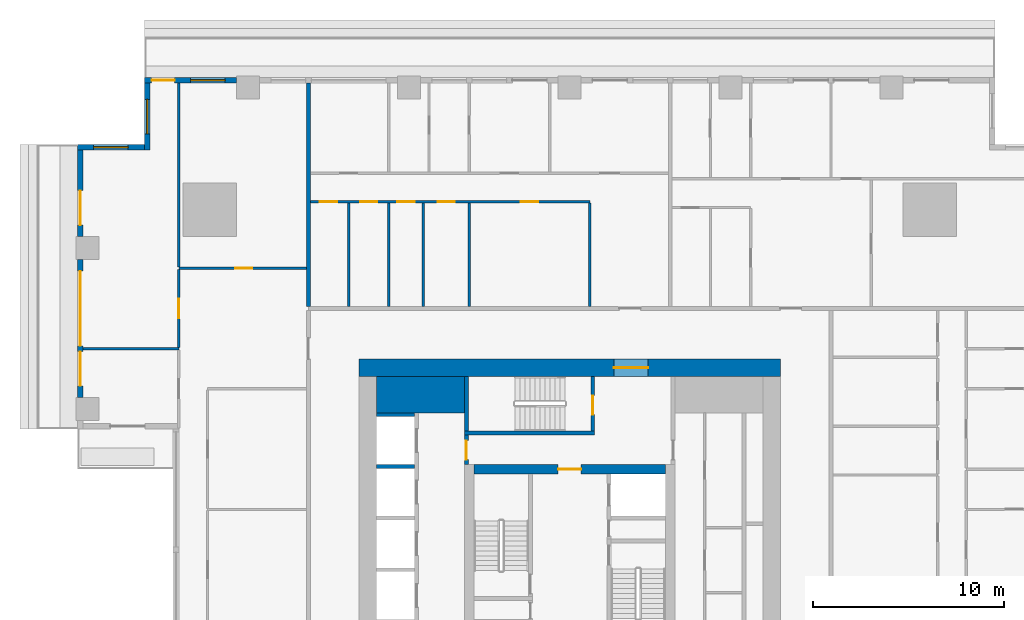
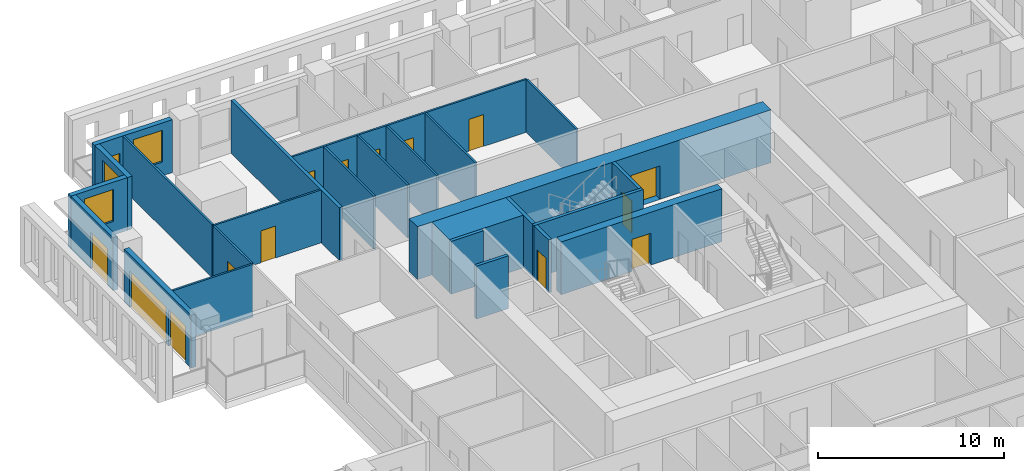
# One storey, part 7 of 15: 25 walls, 15 doors, 3 windows, 18 openings.
"""IFC4 building model written with IfcOpenShell, lengths in metres."""

from ifc_helpers import new_model, si_unit, direction, frame, frame_2d, origin, place, context, subcontext, project, spatial, rectangle, extrude, material, layer, layer_set, type_object, element, fill, save


model = new_model("IFC4")

# Units and contexts
model_context = context("Model", 3, precision=1e-05, world=origin(), true_north=direction((0.0, 1.0)))
body_context = subcontext(model_context, "Body", "Model", "MODEL_VIEW")
ifc_project = project(units=[si_unit("LENGTHUNIT", "METRE"), si_unit("AREAUNIT", "SQUARE_METRE"), si_unit("VOLUMEUNIT", "CUBIC_METRE"), si_unit("PLANEANGLEUNIT", "RADIAN"), si_unit("MASSUNIT", "GRAM", prefix="KILO")], contexts=[model_context])

# Site, building, storey
site_placement = place(None, origin())
site = spatial("IfcSite", under=ifc_project, at=site_placement, CompositionType="ELEMENT")
building_placement = place(site_placement, origin())
building = spatial("IfcBuilding", under=site, at=building_placement, Name="Khepri Terraces", CompositionType="ELEMENT")
storey_placement = place(building_placement, frame((0.0, 0.0, 94.800048828125)))
storey = spatial("IfcBuildingStorey", under=building, at=storey_placement, Name="L22", CompositionType="ELEMENT", Elevation=94.800048828125)

# Walls
ifc_material_1 = material(Name="Concrete C70/85", Category="concrete")
ifc_layer_1 = layer(ifc_material_1, 1.89990234375, Name="Concrete C70/85", Category="concrete")
ifc_layer_set_1 = layer_set([ifc_layer_1], Name="Concrete C70/85")
wall_type_1 = type_object("IfcWallType", Name="Core wall 1900 C70/85", PredefinedType="SHEAR", material=ifc_layer_set_1)
wall_1_placement = place(storey_placement, frame((-10.10009765625, 9.14990234375, 0.0), z_axis=(0.0, 0.0, 1.0), x_axis=(1.0, 0.0, 0.0)))
element("IfcWall", 1, at=wall_1_placement, inside=storey, type_object=wall_type_1, Name="Core wall PR03 L22", PredefinedType="SHEAR", context=body_context, shape_type="SweptSolid", body=[
    extrude(rectangle(XDim=4.60009765625, YDim=1.89990234375, at=frame_2d((2.300048828125, 0.0))), origin(), (0.0, 0.0, 1.0), 3.47998046875),
])
ifc_layer_2 = layer(ifc_material_1, 0.199951171875, Name="Concrete C70/85", Category="concrete")
ifc_layer_set_2 = layer_set([ifc_layer_2], Name="Concrete C70/85")
wall_type_2 = type_object("IfcWallType", Name="Core wall 200 C70/85", PredefinedType="SHEAR", material=ifc_layer_set_2)
wall_2_placement = place(storey_placement, frame((-5.5, 7.14990234375, 0.0), z_axis=(0.0, 0.0, 1.0), x_axis=(1.0, 0.0, 0.0)))
element("IfcWall", 2, at=wall_2_placement, inside=storey, type_object=wall_type_2, Name="Core wall ST05 L22", PredefinedType="SHEAR", context=body_context, shape_type="SweptSolid", body=[
    extrude(rectangle(XDim=6.800048828125, YDim=0.199951171875, at=frame_2d((3.39990234375, 0.0))), origin(), (0.0, 0.0, 1.0), 3.47998046875),
])
wall_3_placement = place(storey_placement, frame((-5.39990234375, 7.25, 0.0), z_axis=(0.0, 0.0, 1.0), x_axis=(0.0, 1.0, 0.0)))
element("IfcWall", 3, at=wall_3_placement, inside=storey, type_object=wall_type_2, Name="Core wall ST06 L22", PredefinedType="SHEAR", context=body_context, shape_type="SweptSolid", body=[
    extrude(rectangle(XDim=2.85009765625, YDim=0.199951171875, at=frame_2d((1.425048828125, 0.0))), origin(), (0.0, 0.0, 1.0), 3.47998046875),
])

# Wall, opening, door
wall_4_placement = place(storey_placement, frame((1.199951171875, 7.25, 0.0), z_axis=(0.0, 0.0, 1.0), x_axis=(0.0, 1.0, 0.0)))
wall_4 = element("IfcWall", 4, at=wall_4_placement, inside=storey, type_object=wall_type_2, Name="Core wall ST07 L22", PredefinedType="SHEAR", context=body_context, shape_type="SweptSolid", body=[
    extrude(rectangle(XDim=2.85009765625, YDim=0.199951171875, at=frame_2d((1.425048828125, 0.0))), origin(), (0.0, 0.0, 1.0), 3.47998046875),
])
opening_1_placement = place(wall_4_placement, frame((0.85009765625, 0.0, 0.0)))
opening_1 = element("IfcOpeningElement", 5, at=opening_1_placement, cuts=wall_4, Name="Opening L22-C15", PredefinedType="OPENING", context=body_context, shape_type="SweptSolid", body=[
    extrude(rectangle(XDim=1.0, YDim=2.10009765625, at=frame_2d((0.5, 1.050048828125))), frame((0.0, 0.10986328125, 0.0), z_axis=(0.0, -1.0, 0.0), x_axis=(1.0, 0.0, 0.0)), (0.0, 0.0, 1.0), 0.219970703125),
])
ifc_material_2 = material(Name="Painted steel", Category="steel")
door_type_1 = type_object("IfcDoorType", Name="DR-CORE-STAIR-1000", OperationType="NOTDEFINED", PredefinedType="DOOR", material=ifc_material_2)
door_1_placement = place(opening_1_placement, origin())
door_1 = element("IfcDoor", 6, at=door_1_placement, inside=storey, type_object=door_type_1, Name="Stair door L22-C15", OperationType="SINGLE_SWING_LEFT", OverallHeight=2.10009765625, OverallWidth=1.0, PredefinedType="DOOR", context=body_context, shape_type="SweptSolid", body=[
    extrude(rectangle(XDim=1.0, YDim=2.10009765625, at=frame_2d((0.5, 1.050048828125))), frame((0.0, 0.02490234375, 0.0), z_axis=(0.0, -1.0, 0.0), x_axis=(1.0, 0.0, 0.0)), (0.0, 0.0, 1.0), 0.050048828125),
])
fill(opening_1, door_1)

# Walls
for number, where, z_axis, x_axis, name in (
    (7, (-10.10009765625, 5.39990234375, 0.0), (0.0, 0.0, 1.0), (1.0, 0.0, 0.0), "Core wall SH19 L22"),
    (8, (-10.10009765625, 8.10009765625, 0.0), (0.0, 0.0, 1.0), (1.0, 0.0, 0.0), "Core wall SH20 L22"),
):
    element("IfcWall", number, at=place(storey_placement, frame(where, z_axis=z_axis, x_axis=x_axis)), inside=storey, type_object=wall_type_2, Name=name, PredefinedType="SHEAR", context=body_context, shape_type="SweptSolid", body=[
        extrude(rectangle(XDim=2.0, YDim=0.199951171875, at=frame_2d((1.0, 0.0))), origin(), (0.0, 0.0, 1.0), 3.47998046875),
    ])

# Wall, opening, door
ifc_layer_3 = layer(ifc_material_1, 0.5, Name="Concrete C70/85", Category="concrete")
ifc_layer_set_3 = layer_set([ifc_layer_3], Name="Concrete C70/85")
wall_type_3 = type_object("IfcWallType", Name="Core wall 500 C70/85", PredefinedType="SHEAR", material=ifc_layer_set_3)
wall_5_placement = place(storey_placement, frame((-5.0, 5.25, 0.0), z_axis=(0.0, 0.0, 1.0), x_axis=(1.0, 0.0, 0.0)))
wall_5 = element("IfcWall", 9, at=wall_5_placement, inside=storey, type_object=wall_type_3, Name="Core wall BX04 L22", PredefinedType="SHEAR", context=body_context, shape_type="SweptSolid", body=[
    extrude(rectangle(XDim=10.0, YDim=0.5, at=frame_2d((5.0, 0.0))), origin(), (0.0, 0.0, 1.0), 3.47998046875),
])
opening_2_placement = place(wall_5_placement, frame((4.39990234375, 0.0, 0.0)))
opening_2 = element("IfcOpeningElement", 10, at=opening_2_placement, cuts=wall_5, Name="Opening L22-C13", PredefinedType="OPENING", context=body_context, shape_type="SweptSolid", body=[
    extrude(rectangle(XDim=1.199951171875, YDim=2.10009765625, at=frame_2d((0.60009765625, 1.050048828125))), frame((0.0, 0.260009765625, 0.0), z_axis=(0.0, -1.0, 0.0), x_axis=(1.0, 0.0, 0.0)), (0.0, 0.0, 1.0), 0.52001953125),
])
door_type_2 = type_object("IfcDoorType", Name="DR-CORE-FF-LOBBY-1200", OperationType="NOTDEFINED", PredefinedType="DOOR", material=ifc_material_2)
door_2_placement = place(opening_2_placement, frame((1.199951171875, 0.0, 0.0), z_axis=(0.0, 0.0, 1.0), x_axis=(-1.0, 0.0, 0.0)))
door_2 = element("IfcDoor", 11, at=door_2_placement, inside=storey, type_object=door_type_2, Name="Firefighting lobby door L22-C13", OperationType="SINGLE_SWING_LEFT", OverallHeight=2.10009765625, OverallWidth=1.199951171875, PredefinedType="DOOR", context=body_context, shape_type="SweptSolid", body=[
    extrude(rectangle(XDim=1.199951171875, YDim=2.10009765625, at=frame_2d((0.60009765625, 1.050048828125))), frame((0.0, 0.02490234375, 0.0), z_axis=(0.0, -1.0, 0.0), x_axis=(1.0, 0.0, 0.0)), (0.0, 0.0, 1.0), 0.050048828125),
])
fill(opening_2, door_2)

ifc_layer_4 = layer(ifc_material_1, 0.89990234375, Name="Concrete C70/85", Category="concrete")
ifc_layer_set_4 = layer_set([ifc_layer_4], Name="Concrete C70/85")
wall_type_4 = type_object("IfcWallType", Name="Core wall 900 C70/85", PredefinedType="SHEAR", material=ifc_layer_set_4)
wall_6_placement = place(storey_placement, frame((-11.0, 10.550048828125, 0.0), z_axis=(0.0, 0.0, 1.0), x_axis=(1.0, 0.0, 0.0)))
wall_6 = element("IfcWall", 12, at=wall_6_placement, inside=storey, type_object=wall_type_4, Name="Core wall OW-N L22", PredefinedType="SHEAR", context=body_context, shape_type="SweptSolid", body=[
    extrude(rectangle(XDim=22.0, YDim=0.89990234375, at=frame_2d((11.0, 0.0))), origin(), (0.0, 0.0, 1.0), 3.47998046875),
])
opening_3_placement = place(wall_6_placement, frame((13.300048828125, 0.0, 0.0)))
opening_3 = element("IfcOpeningElement", 13, at=opening_3_placement, cuts=wall_6, Name="Opening L22-C20", PredefinedType="OPENING", context=body_context, shape_type="SweptSolid", body=[
    extrude(rectangle(XDim=1.800048828125, YDim=2.199951171875, at=frame_2d((0.89990234375, 1.10009765625))), frame((0.0, 0.4599609375, 0.0), z_axis=(0.0, -1.0, 0.0), x_axis=(1.0, 0.0, 0.0)), (0.0, 0.0, 1.0), 0.919921875),
])
door_type_3 = type_object("IfcDoorType", Name="DR-CORE-ENTRANCE-1800", OperationType="NOTDEFINED", PredefinedType="DOOR", material=ifc_material_2)
door_3_placement = place(opening_3_placement, origin())
door_3 = element("IfcDoor", 14, at=door_3_placement, inside=storey, type_object=door_type_3, Name="Core entrance door pair L22-C20", OperationType="DOUBLE_DOOR_SINGLE_SWING", OverallHeight=2.199951171875, OverallWidth=1.800048828125, PredefinedType="DOOR", context=body_context, shape_type="SweptSolid", body=[
    extrude(rectangle(XDim=1.800048828125, YDim=2.199951171875, at=frame_2d((0.89990234375, 1.10009765625))), frame((0.0, 0.02490234375, 0.0), z_axis=(0.0, -1.0, 0.0), x_axis=(1.0, 0.0, 0.0)), (0.0, 0.0, 1.0), 0.050048828125),
])
fill(opening_3, door_3)

ifc_material_3 = material(Name="Fire-rated gypsum board partition")
ifc_layer_5 = layer(ifc_material_3, 0.199951171875, Name="Fire-rated gypsum board partition")
ifc_layer_set_5 = layer_set([ifc_layer_5], Name="Fire-rated gypsum board partition")
wall_type_5 = type_object("IfcWallType", Name="WL-CORE-PART-200", PredefinedType="PARTITIONING", material=ifc_layer_set_5)
wall_7_placement = place(storey_placement, frame((-5.39990234375, 5.5, 0.0), z_axis=(0.0, 0.0, 1.0), x_axis=(0.0, 1.0, 0.0)))
wall_7 = element("IfcWall", 15, at=wall_7_placement, inside=storey, type_object=wall_type_5, Name="Core partition PT07 L22", PredefinedType="PARTITIONING", context=body_context, shape_type="SweptSolid", body=[
    extrude(rectangle(XDim=1.550048828125, YDim=0.199951171875, at=frame_2d((0.77490234375, 0.0))), origin(), (0.0, 0.0, 1.0), 3.47998046875),
])
opening_4_placement = place(wall_7_placement, frame((0.25, 0.0, 0.0)))
opening_4 = element("IfcOpeningElement", 16, at=opening_4_placement, cuts=wall_7, Name="Opening L22-C16", PredefinedType="OPENING", context=body_context, shape_type="SweptSolid", body=[
    extrude(rectangle(XDim=1.0, YDim=2.10009765625, at=frame_2d((0.5, 1.050048828125))), frame((0.0, 0.10986328125, 0.0), z_axis=(0.0, -1.0, 0.0), x_axis=(1.0, 0.0, 0.0)), (0.0, 0.0, 1.0), 0.219970703125),
])
door_type_4 = type_object("IfcDoorType", Name="DR-CORE-LOBBY-1000", OperationType="NOTDEFINED", PredefinedType="DOOR", material=ifc_material_2)
door_4_placement = place(opening_4_placement, frame((1.0, 0.0, 0.0), z_axis=(0.0, 0.0, 1.0), x_axis=(-1.0, 0.0, 0.0)))
door_4 = element("IfcDoor", 17, at=door_4_placement, inside=storey, type_object=door_type_4, Name="Lobby door L22-C16", OperationType="SINGLE_SWING_RIGHT", OverallHeight=2.10009765625, OverallWidth=1.0, PredefinedType="DOOR", context=body_context, shape_type="SweptSolid", body=[
    extrude(rectangle(XDim=1.0, YDim=2.10009765625, at=frame_2d((0.5, 1.050048828125))), frame((0.0, 0.02490234375, 0.0), z_axis=(0.0, -1.0, 0.0), x_axis=(1.0, 0.0, 0.0)), (0.0, 0.0, 1.0), 0.050048828125),
])
fill(opening_4, door_4)

# Wall
ifc_material_4 = material(Name="Fire-rated gypsum plasterboard partition, mineral wool")
ifc_layer_6 = layer(ifc_material_4, 0.199951171875, Name="Fire-rated gypsum plasterboard partition, mineral wool")
ifc_layer_set_6 = layer_set([ifc_layer_6], Name="Fire-rated gypsum plasterboard partition, mineral wool")
wall_type_6 = type_object("IfcWallType", Name="WL-CORR-200", PredefinedType="PARTITIONING", material=ifc_layer_set_6)
wall_8_placement = place(storey_placement, frame((-13.64990234375, 13.75, 0.0), z_axis=(0.0, 0.0, 1.0), x_axis=(0.0, 1.0, 0.0)))
element("IfcWall", 18, at=wall_8_placement, inside=storey, type_object=wall_type_6, Name="Partition P-082 L22", PredefinedType="PARTITIONING", context=body_context, shape_type="SweptSolid", body=[
    extrude(rectangle(XDim=11.669921875, YDim=0.199951171875, at=frame_2d((5.8349609375, 0.0))), origin(), (0.0, 0.0, 1.0), 3.47998046875),
])

# Wall, openings, door, window
ifc_material_5 = material(Name="Precast concrete C50/60 warm stone", Category="masonry")
ifc_layer_7 = layer(ifc_material_5, 0.300048828125, Name="Precast concrete C50/60 warm stone", Category="masonry")
ifc_layer_set_7 = layer_set([ifc_layer_7], Name="Precast concrete C50/60 warm stone")
wall_type_7 = type_object("IfcWallType", Name="WL-EXT-PRECAST-300", PredefinedType="STANDARD", material=ifc_layer_set_7)
wall_9_placement = place(storey_placement, frame((-17.39990234375, 25.570068359375, 0.0), z_axis=(0.0, 0.0, 1.0), x_axis=(-1.0, 0.0, 0.0)))
wall_9 = element("IfcWall", 19, at=wall_9_placement, inside=storey, type_object=wall_type_7, Name="External wall L22 N", PredefinedType="STANDARD", context=body_context, shape_type="SweptSolid", body=[
    extrude(rectangle(XDim=4.820068359375, YDim=0.300048828125, at=frame_2d((2.41015625, 0.0))), origin(), (0.0, 0.0, 1.0), 3.47998046875),
])
opening_5_placement = place(wall_9_placement, frame((0.60009765625, 0.0, 0.89990234375)))
opening_5 = element("IfcOpeningElement", 20, at=opening_5_placement, cuts=wall_9, Name="Opening W1", PredefinedType="OPENING", context=body_context, shape_type="SweptSolid", body=[
    extrude(rectangle(XDim=1.800048828125, YDim=2.10009765625, at=frame_2d((0.89990234375, 1.050048828125))), frame((0.0, 0.16015625, 0.0), z_axis=(0.0, -1.0, 0.0), x_axis=(1.0, 0.0, 0.0)), (0.0, 0.0, 1.0), 0.320068359375),
])
opening_6_placement = place(wall_9_placement, frame((3.2451171875, 0.0, 0.0)))
opening_6 = element("IfcOpeningElement", 21, at=opening_6_placement, cuts=wall_9, Name="Opening ED-L22-12", PredefinedType="OPENING", context=body_context, shape_type="SweptSolid", body=[
    extrude(rectangle(XDim=1.199951171875, YDim=2.39990234375, at=frame_2d((0.60009765625, 1.199951171875))), frame((0.0, 0.16015625, 0.0), z_axis=(0.0, -1.0, 0.0), x_axis=(1.0, 0.0, 0.0)), (0.0, 0.0, 1.0), 0.320068359375),
])
ifc_material_6 = material(Name="Anodised aluminium bronze glazed door", Category="aluminium")
door_type_5 = type_object("IfcDoorType", Name="DR-BAL-SLIDE-1200x2400", OperationType="NOTDEFINED", PredefinedType="DOOR", material=ifc_material_6)
door_5_placement = place(opening_6_placement, origin())
door_5 = element("IfcDoor", 22, at=door_5_placement, inside=storey, type_object=door_type_5, Name="Balcony door L22 N", OperationType="SLIDING_TO_RIGHT", OverallHeight=2.39990234375, OverallWidth=1.199951171875, PredefinedType="DOOR", context=body_context, shape_type="SweptSolid", body=[
    extrude(rectangle(XDim=1.199951171875, YDim=2.39990234375, at=frame_2d((0.60009765625, 1.199951171875))), frame((0.0, 0.02490234375, 0.0), z_axis=(0.0, -1.0, 0.0), x_axis=(1.0, 0.0, 0.0)), (0.0, 0.0, 1.0), 0.050048828125),
])
fill(opening_6, door_5)
ifc_material_7 = material(Name="Clear glass", Category="glass")
window_type = type_object("IfcWindowType", Name="WIN-RES-1800x2100", PartitioningType="SINGLE_PANEL", PredefinedType="WINDOW", material=ifc_material_7)
window_1_placement = place(opening_5_placement, origin())
window_1 = element("IfcWindow", 23, at=window_1_placement, inside=storey, type_object=window_type, Name="Window L22 N", OverallHeight=2.10009765625, OverallWidth=1.800048828125, PartitioningType="SINGLE_PANEL", PredefinedType="WINDOW", context=body_context, shape_type="SweptSolid", body=[
    extrude(rectangle(XDim=1.800048828125, YDim=2.10009765625, at=frame_2d((0.89990234375, 1.050048828125))), frame((0.0, 0.030029296875, 0.0), z_axis=(0.0, -1.0, 0.0), x_axis=(1.0, 0.0, 0.0)), (0.0, 0.0, 1.0), 0.06005859375),
])
fill(opening_5, window_1)

# Wall, opening, window
wall_10_placement = place(storey_placement, frame((-22.070068359375, 25.419921875, 0.0), z_axis=(0.0, 0.0, 1.0), x_axis=(0.0, -1.0, 0.0)))
wall_10 = element("IfcWall", 24, at=wall_10_placement, inside=storey, type_object=wall_type_7, Name="External wall L22 W", PredefinedType="STANDARD", context=body_context, shape_type="SweptSolid", body=[
    extrude(rectangle(XDim=3.5, YDim=0.300048828125, at=frame_2d((1.75, 0.0))), origin(), (0.0, 0.0, 1.0), 3.47998046875),
])
opening_7_placement = place(wall_10_placement, frame((0.85009765625, 0.0, 0.89990234375)))
opening_7 = element("IfcOpeningElement", 25, at=opening_7_placement, cuts=wall_10, Name="Opening W1", PredefinedType="OPENING", context=body_context, shape_type="SweptSolid", body=[
    extrude(rectangle(XDim=1.800048828125, YDim=2.10009765625, at=frame_2d((0.89990234375, 1.050048828125))), frame((0.0, 0.16015625, 0.0), z_axis=(0.0, -1.0, 0.0), x_axis=(1.0, 0.0, 0.0)), (0.0, 0.0, 1.0), 0.320068359375),
])
window_2_placement = place(opening_7_placement, origin())
window_2 = element("IfcWindow", 26, at=window_2_placement, inside=storey, type_object=window_type, Name="Window L22 W", OverallHeight=2.10009765625, OverallWidth=1.800048828125, PartitioningType="SINGLE_PANEL", PredefinedType="WINDOW", context=body_context, shape_type="SweptSolid", body=[
    extrude(rectangle(XDim=1.800048828125, YDim=2.10009765625, at=frame_2d((0.89990234375, 1.050048828125))), frame((0.0, 0.030029296875, 0.0), z_axis=(0.0, -1.0, 0.0), x_axis=(1.0, 0.0, 0.0)), (0.0, 0.0, 1.0), 0.06005859375),
])
fill(opening_7, window_2)

wall_11_placement = place(storey_placement, frame((-22.219970703125, 22.070068359375, 0.0), z_axis=(0.0, 0.0, 1.0), x_axis=(-1.0, 0.0, 0.0)))
wall_11 = element("IfcWall", 27, at=wall_11_placement, inside=storey, type_object=wall_type_7, Name="External wall L22 N", PredefinedType="STANDARD", context=body_context, shape_type="SweptSolid", body=[
    extrude(rectangle(XDim=3.5, YDim=0.300048828125, at=frame_2d((1.75, 0.0))), origin(), (0.0, 0.0, 1.0), 3.47998046875),
])
opening_8_placement = place(wall_11_placement, frame((0.85009765625, 0.0, 0.89990234375)))
opening_8 = element("IfcOpeningElement", 28, at=opening_8_placement, cuts=wall_11, Name="Opening W1", PredefinedType="OPENING", context=body_context, shape_type="SweptSolid", body=[
    extrude(rectangle(XDim=1.800048828125, YDim=2.10009765625, at=frame_2d((0.89990234375, 1.050048828125))), frame((0.0, 0.16015625, 0.0), z_axis=(0.0, -1.0, 0.0), x_axis=(1.0, 0.0, 0.0)), (0.0, 0.0, 1.0), 0.320068359375),
])
window_3_placement = place(opening_8_placement, origin())
window_3 = element("IfcWindow", 29, at=window_3_placement, inside=storey, type_object=window_type, Name="Window L22 N", OverallHeight=2.10009765625, OverallWidth=1.800048828125, PartitioningType="SINGLE_PANEL", PredefinedType="WINDOW", context=body_context, shape_type="SweptSolid", body=[
    extrude(rectangle(XDim=1.800048828125, YDim=2.10009765625, at=frame_2d((0.89990234375, 1.050048828125))), frame((0.0, 0.030029296875, 0.0), z_axis=(0.0, -1.0, 0.0), x_axis=(1.0, 0.0, 0.0)), (0.0, 0.0, 1.0), 0.06005859375),
])
fill(opening_8, window_3)

# Wall, opening, door
wall_12_placement = place(storey_placement, frame((-25.570068359375, 21.919921875, 0.0), z_axis=(0.0, 0.0, 1.0), x_axis=(0.0, -1.0, 0.0)))
wall_12 = element("IfcWall", 30, at=wall_12_placement, inside=storey, type_object=wall_type_7, Name="External wall L22 W", PredefinedType="STANDARD", context=body_context, shape_type="SweptSolid", body=[
    extrude(rectangle(XDim=4.52001953125, YDim=0.300048828125, at=frame_2d((2.260009765625, 0.0))), origin(), (0.0, 0.0, 1.0), 3.47998046875),
])
opening_9_placement = place(wall_12_placement, frame((2.1201171875, 0.0, 0.0)))
opening_9 = element("IfcOpeningElement", 31, at=opening_9_placement, cuts=wall_12, Name="Opening ED-L22-13", PredefinedType="OPENING", context=body_context, shape_type="SweptSolid", body=[
    extrude(rectangle(XDim=1.800048828125, YDim=2.39990234375, at=frame_2d((0.89990234375, 1.199951171875))), frame((0.0, 0.16015625, 0.0), z_axis=(0.0, -1.0, 0.0), x_axis=(1.0, 0.0, 0.0)), (0.0, 0.0, 1.0), 0.320068359375),
])
door_type_6 = type_object("IfcDoorType", Name="DR-BAL-SLIDE-1800x2400", OperationType="NOTDEFINED", PredefinedType="DOOR", material=ifc_material_6)
door_6_placement = place(opening_9_placement, origin())
door_6 = element("IfcDoor", 32, at=door_6_placement, inside=storey, type_object=door_type_6, Name="Balcony door L22 W", OperationType="SLIDING_TO_RIGHT", OverallHeight=2.39990234375, OverallWidth=1.800048828125, PredefinedType="DOOR", context=body_context, shape_type="SweptSolid", body=[
    extrude(rectangle(XDim=1.800048828125, YDim=2.39990234375, at=frame_2d((0.89990234375, 1.199951171875))), frame((0.0, 0.02490234375, 0.0), z_axis=(0.0, -1.0, 0.0), x_axis=(1.0, 0.0, 0.0)), (0.0, 0.0, 1.0), 0.050048828125),
])
fill(opening_9, door_6)

# Wall, openings, doors
wall_13_placement = place(storey_placement, frame((-25.570068359375, 16.199951171875, 0.0), z_axis=(0.0, 0.0, 1.0), x_axis=(0.0, -1.0, 0.0)))
wall_13 = element("IfcWall", 33, at=wall_13_placement, inside=storey, type_object=wall_type_7, Name="External wall L22 W", PredefinedType="STANDARD", context=body_context, shape_type="SweptSolid", body=[
    extrude(rectangle(XDim=7.199951171875, YDim=0.300048828125, at=frame_2d((3.60009765625, 0.0))), origin(), (0.0, 0.0, 1.0), 3.47998046875),
])
opening_10_placement = place(wall_13_placement, frame((0.60009765625, 0.0, 0.0)))
opening_10 = element("IfcOpeningElement", 34, at=opening_10_placement, cuts=wall_13, Name="Opening ED-L22-14", PredefinedType="OPENING", context=body_context, shape_type="SweptSolid", body=[
    extrude(rectangle(XDim=3.89990234375, YDim=2.39990234375, at=frame_2d((1.949951171875, 1.199951171875))), frame((0.0, 0.16015625, 0.0), z_axis=(0.0, -1.0, 0.0), x_axis=(1.0, 0.0, 0.0)), (0.0, 0.0, 1.0), 0.320068359375),
])
opening_11_placement = place(wall_13_placement, frame((4.800048828125, 0.0, 0.0)))
opening_11 = element("IfcOpeningElement", 35, at=opening_11_placement, cuts=wall_13, Name="Opening ED-L22-15", PredefinedType="OPENING", context=body_context, shape_type="SweptSolid", body=[
    extrude(rectangle(XDim=1.800048828125, YDim=2.39990234375, at=frame_2d((0.89990234375, 1.199951171875))), frame((0.0, 0.16015625, 0.0), z_axis=(0.0, -1.0, 0.0), x_axis=(1.0, 0.0, 0.0)), (0.0, 0.0, 1.0), 0.320068359375),
])
door_7_placement = place(opening_11_placement, origin())
door_7 = element("IfcDoor", 36, at=door_7_placement, inside=storey, type_object=door_type_6, Name="Balcony door L22 W", OperationType="SLIDING_TO_RIGHT", OverallHeight=2.39990234375, OverallWidth=1.800048828125, PredefinedType="DOOR", context=body_context, shape_type="SweptSolid", body=[
    extrude(rectangle(XDim=1.800048828125, YDim=2.39990234375, at=frame_2d((0.89990234375, 1.199951171875))), frame((0.0, 0.02490234375, 0.0), z_axis=(0.0, -1.0, 0.0), x_axis=(1.0, 0.0, 0.0)), (0.0, 0.0, 1.0), 0.050048828125),
])
fill(opening_11, door_7)
door_type_7 = type_object("IfcDoorType", Name="DR-BAL-SLIDE-3900x2400", OperationType="NOTDEFINED", PredefinedType="DOOR", material=ifc_material_6)
door_8_placement = place(opening_10_placement, origin())
door_8 = element("IfcDoor", 37, at=door_8_placement, inside=storey, type_object=door_type_7, Name="Balcony door L22 W", OperationType="SLIDING_TO_LEFT", OverallHeight=2.39990234375, OverallWidth=3.89990234375, PredefinedType="DOOR", context=body_context, shape_type="SweptSolid", body=[
    extrude(rectangle(XDim=3.89990234375, YDim=2.39990234375, at=frame_2d((1.949951171875, 1.199951171875))), frame((0.0, 0.02490234375, 0.0), z_axis=(0.0, -1.0, 0.0), x_axis=(1.0, 0.0, 0.0)), (0.0, 0.0, 1.0), 0.050048828125),
])
fill(opening_10, door_8)

# Wall
ifc_material_8 = material(Name="Gypsum plasterboard partition")
ifc_layer_8 = layer(ifc_material_8, 0.1201171875, Name="Gypsum plasterboard partition")
ifc_layer_set_8 = layer_set([ifc_layer_8], Name="Gypsum plasterboard partition")
wall_type_8 = type_object("IfcWallType", Name="WL-PART-120", PredefinedType="PARTITIONING", material=ifc_layer_set_8)
wall_14_placement = place(storey_placement, frame((-25.419921875, 11.550048828125, 0.0), z_axis=(0.0, 0.0, 1.0), x_axis=(1.0, 0.0, 0.0)))
element("IfcWall", 38, at=wall_14_placement, inside=storey, type_object=wall_type_8, Name="Partition P-077 L22", PredefinedType="PARTITIONING", context=body_context, shape_type="SweptSolid", body=[
    extrude(rectangle(XDim=5.0, YDim=0.1201171875, at=frame_2d((2.5, 0.0))), origin(), (0.0, 0.0, 1.0), 3.47998046875),
])

# Wall, opening, door
wall_15_placement = place(storey_placement, frame((-20.419921875, 11.610107421875, 0.0), z_axis=(0.0, 0.0, 1.0), x_axis=(0.0, 1.0, 0.0)))
wall_15 = element("IfcWall", 39, at=wall_15_placement, inside=storey, type_object=wall_type_8, Name="Partition P-079 L22", PredefinedType="PARTITIONING", context=body_context, shape_type="SweptSolid", body=[
    extrude(rectangle(XDim=4.079833984375, YDim=0.1201171875, at=frame_2d((2.0400390625, 0.0))), origin(), (0.0, 0.0, 1.0), 3.47998046875),
])
opening_12_placement = place(wall_15_placement, frame((1.5400390625, 0.0, 0.0)))
opening_12 = element("IfcOpeningElement", 40, at=opening_12_placement, cuts=wall_15, Name="Opening D2", PredefinedType="OPENING", context=body_context, shape_type="SweptSolid", body=[
    extrude(rectangle(XDim=1.0, YDim=2.10009765625, at=frame_2d((0.5, 1.050048828125))), frame((0.0, 0.070068359375, 0.0), z_axis=(0.0, -1.0, 0.0), x_axis=(1.0, 0.0, 0.0)), (0.0, 0.0, 1.0), 0.14013671875),
])
ifc_material_9 = material(Name="Timber door leaf, living room door", Category="wood")
door_type_8 = type_object("IfcDoorType", Name="DR-INT-1000", OperationType="NOTDEFINED", PredefinedType="DOOR", material=ifc_material_9)
door_9_placement = place(opening_12_placement, origin())
door_9 = element("IfcDoor", 41, at=door_9_placement, inside=storey, type_object=door_type_8, Name="Door Living Room", OperationType="SINGLE_SWING_RIGHT", OverallHeight=2.10009765625, OverallWidth=1.0, PredefinedType="DOOR", context=body_context, shape_type="SweptSolid", body=[
    extrude(rectangle(XDim=1.0, YDim=2.10009765625, at=frame_2d((0.5, 1.050048828125))), frame((0.0, 0.02490234375, 0.0), z_axis=(0.0, -1.0, 0.0), x_axis=(1.0, 0.0, 0.0)), (0.0, 0.0, 1.0), 0.050048828125),
])
fill(opening_12, door_9)

# Walls
for number, where, z_axis, x_axis, name in (
    (42, (-11.550048828125, 13.75, 0.0), (0.0, 0.0, 1.0), (0.0, 1.0, 0.0), "Partition P-083 L22"),
    (43, (-9.449951171875, 13.75, 0.0), (0.0, 0.0, 1.0), (0.0, 1.0, 0.0), "Partition P-084 L22"),
    (44, (-7.64990234375, 13.75, 0.0), (0.0, 0.0, 1.0), (0.0, 1.0, 0.0), "Partition P-085 L22"),
    (45, (-5.25, 13.75, 0.0), (0.0, 0.0, 1.0), (0.0, 1.0, 0.0), "Partition P-086 L22"),
    (46, (1.050048828125, 13.75, 0.0), (0.0, 0.0, 1.0), (0.0, 1.0, 0.0), "Partition P-087 L22"),
):
    element("IfcWall", number, at=place(storey_placement, frame(where, z_axis=z_axis, x_axis=x_axis)), inside=storey, type_object=wall_type_8, Name=name, PredefinedType="PARTITIONING", context=body_context, shape_type="SweptSolid", body=[
        extrude(rectangle(XDim=5.409912109375, YDim=0.1201171875, at=frame_2d((2.705078125, 0.0))), origin(), (0.0, 0.0, 1.0), 3.47998046875),
    ])

# Wall, opening, door
wall_16_placement = place(storey_placement, frame((-20.419921875, 15.75, 0.0), z_axis=(0.0, 0.0, 1.0), x_axis=(1.0, 0.0, 0.0)))
wall_16 = element("IfcWall", 47, at=wall_16_placement, inside=storey, type_object=wall_type_8, Name="Partition P-092 L22", PredefinedType="PARTITIONING", context=body_context, shape_type="SweptSolid", body=[
    extrude(rectangle(XDim=6.669921875, YDim=0.1201171875, at=frame_2d((3.3349609375, 0.0))), origin(), (0.0, 0.0, 1.0), 3.47998046875),
])
opening_13_placement = place(wall_16_placement, frame((2.93505859375, 0.0, 0.0)))
opening_13 = element("IfcOpeningElement", 48, at=opening_13_placement, cuts=wall_16, Name="Opening D3", PredefinedType="OPENING", context=body_context, shape_type="SweptSolid", body=[
    extrude(rectangle(XDim=0.89990234375, YDim=2.10009765625, at=frame_2d((0.449951171875, 1.050048828125))), frame((0.0, 0.070068359375, 0.0), z_axis=(0.0, -1.0, 0.0), x_axis=(1.0, 0.0, 0.0)), (0.0, 0.0, 1.0), 0.14013671875),
])
ifc_material_10 = material(Name="Timber door leaf", Category="wood")
door_type_9 = type_object("IfcDoorType", Name="DR-INT-900", OperationType="NOTDEFINED", PredefinedType="DOOR", material=ifc_material_10)
door_10_placement = place(opening_13_placement, origin())
door_10 = element("IfcDoor", 49, at=door_10_placement, inside=storey, type_object=door_type_9, Name="Door Home Cinema", OperationType="SINGLE_SWING_RIGHT", OverallHeight=2.10009765625, OverallWidth=0.89990234375, PredefinedType="DOOR", context=body_context, shape_type="SweptSolid", body=[
    extrude(rectangle(XDim=0.89990234375, YDim=2.10009765625, at=frame_2d((0.449951171875, 1.050048828125))), frame((0.0, 0.02490234375, 0.0), z_axis=(0.0, -1.0, 0.0), x_axis=(1.0, 0.0, 0.0)), (0.0, 0.0, 1.0), 0.050048828125),
])
fill(opening_13, door_10)

# Wall
wall_17_placement = place(storey_placement, frame((-20.419921875, 15.81005859375, 0.0), z_axis=(0.0, 0.0, 1.0), x_axis=(0.0, 1.0, 0.0)))
element("IfcWall", 50, at=wall_17_placement, inside=storey, type_object=wall_type_8, Name="Partition P-093 L22", PredefinedType="PARTITIONING", context=body_context, shape_type="SweptSolid", body=[
    extrude(rectangle(XDim=9.60986328125, YDim=0.1201171875, at=frame_2d((4.804931640625, 0.0))), origin(), (0.0, 0.0, 1.0), 3.47998046875),
])

# Wall, openings, doors
wall_18_placement = place(storey_placement, frame((-13.550048828125, 19.219970703125, 0.0), z_axis=(0.0, 0.0, 1.0), x_axis=(1.0, 0.0, 0.0)))
wall_18 = element("IfcWall", 51, at=wall_18_placement, inside=storey, type_object=wall_type_8, Name="Partition P-095 L22", PredefinedType="PARTITIONING", context=body_context, shape_type="SweptSolid", body=[
    extrude(rectangle(XDim=14.60009765625, YDim=0.1201171875, at=frame_2d((7.300048828125, 0.0))), origin(), (0.0, 0.0, 1.0), 3.47998046875),
])
opening_14_placement = place(wall_18_placement, frame((11.0, 0.0, 0.0)))
opening_14 = element("IfcOpeningElement", 52, at=opening_14_placement, cuts=wall_18, Name="Opening D3", PredefinedType="OPENING", context=body_context, shape_type="SweptSolid", body=[
    extrude(rectangle(XDim=0.89990234375, YDim=2.10009765625, at=frame_2d((0.449951171875, 1.050048828125))), frame((0.0, 0.070068359375, 0.0), z_axis=(0.0, -1.0, 0.0), x_axis=(1.0, 0.0, 0.0)), (0.0, 0.0, 1.0), 0.14013671875),
])
opening_15_placement = place(wall_18_placement, frame((6.64990234375, 0.0, 0.0)))
opening_15 = element("IfcOpeningElement", 53, at=opening_15_placement, cuts=wall_18, Name="Opening D3", PredefinedType="OPENING", context=body_context, shape_type="SweptSolid", body=[
    extrude(rectangle(XDim=0.89990234375, YDim=2.10009765625, at=frame_2d((0.449951171875, 1.050048828125))), frame((0.0, 0.070068359375, 0.0), z_axis=(0.0, -1.0, 0.0), x_axis=(1.0, 0.0, 0.0)), (0.0, 0.0, 1.0), 0.14013671875),
])
opening_16_placement = place(wall_18_placement, frame((4.550048828125, 0.0, 0.0)))
opening_16 = element("IfcOpeningElement", 54, at=opening_16_placement, cuts=wall_18, Name="Opening D4", PredefinedType="OPENING", context=body_context, shape_type="SweptSolid", body=[
    extrude(rectangle(XDim=0.89990234375, YDim=2.10009765625, at=frame_2d((0.449951171875, 1.050048828125))), frame((0.0, 0.070068359375, 0.0), z_axis=(0.0, -1.0, 0.0), x_axis=(1.0, 0.0, 0.0)), (0.0, 0.0, 1.0), 0.14013671875),
])
opening_17_placement = place(wall_18_placement, frame((2.60009765625, 0.0, 0.0)))
opening_17 = element("IfcOpeningElement", 55, at=opening_17_placement, cuts=wall_18, Name="Opening D3", PredefinedType="OPENING", context=body_context, shape_type="SweptSolid", body=[
    extrude(rectangle(XDim=0.89990234375, YDim=2.10009765625, at=frame_2d((0.449951171875, 1.050048828125))), frame((0.0, 0.070068359375, 0.0), z_axis=(0.0, -1.0, 0.0), x_axis=(1.0, 0.0, 0.0)), (0.0, 0.0, 1.0), 0.14013671875),
])
opening_18_placement = place(wall_18_placement, frame((0.5, 0.0, 0.0)))
opening_18 = element("IfcOpeningElement", 56, at=opening_18_placement, cuts=wall_18, Name="Opening D4", PredefinedType="OPENING", context=body_context, shape_type="SweptSolid", body=[
    extrude(rectangle(XDim=0.89990234375, YDim=2.10009765625, at=frame_2d((0.449951171875, 1.050048828125))), frame((0.0, 0.070068359375, 0.0), z_axis=(0.0, -1.0, 0.0), x_axis=(1.0, 0.0, 0.0)), (0.0, 0.0, 1.0), 0.14013671875),
])
door_11_placement = place(opening_14_placement, frame((0.89990234375, 0.0, 0.0), z_axis=(0.0, 0.0, 1.0), x_axis=(-1.0, 0.0, 0.0)))
door_11 = element("IfcDoor", 57, at=door_11_placement, inside=storey, type_object=door_type_9, Name="Door Kitchen", OperationType="SINGLE_SWING_LEFT", OverallHeight=2.10009765625, OverallWidth=0.89990234375, PredefinedType="DOOR", context=body_context, shape_type="SweptSolid", body=[
    extrude(rectangle(XDim=0.89990234375, YDim=2.10009765625, at=frame_2d((0.449951171875, 1.050048828125))), frame((0.0, 0.02490234375, 0.0), z_axis=(0.0, -1.0, 0.0), x_axis=(1.0, 0.0, 0.0)), (0.0, 0.0, 1.0), 0.050048828125),
])
fill(opening_14, door_11)
door_12_placement = place(opening_15_placement, frame((0.89990234375, 0.0, 0.0), z_axis=(0.0, 0.0, 1.0), x_axis=(-1.0, 0.0, 0.0)))
door_12 = element("IfcDoor", 58, at=door_12_placement, inside=storey, type_object=door_type_9, Name="Door Service Store", OperationType="SINGLE_SWING_RIGHT", OverallHeight=2.10009765625, OverallWidth=0.89990234375, PredefinedType="DOOR", context=body_context, shape_type="SweptSolid", body=[
    extrude(rectangle(XDim=0.89990234375, YDim=2.10009765625, at=frame_2d((0.449951171875, 1.050048828125))), frame((0.0, 0.02490234375, 0.0), z_axis=(0.0, -1.0, 0.0), x_axis=(1.0, 0.0, 0.0)), (0.0, 0.0, 1.0), 0.050048828125),
])
fill(opening_15, door_12)
door_13_placement = place(opening_17_placement, frame((0.89990234375, 0.0, 0.0), z_axis=(0.0, 0.0, 1.0), x_axis=(-1.0, 0.0, 0.0)))
door_13 = element("IfcDoor", 59, at=door_13_placement, inside=storey, type_object=door_type_9, Name="Door Utility Room", OperationType="SINGLE_SWING_RIGHT", OverallHeight=2.10009765625, OverallWidth=0.89990234375, PredefinedType="DOOR", context=body_context, shape_type="SweptSolid", body=[
    extrude(rectangle(XDim=0.89990234375, YDim=2.10009765625, at=frame_2d((0.449951171875, 1.050048828125))), frame((0.0, 0.02490234375, 0.0), z_axis=(0.0, -1.0, 0.0), x_axis=(1.0, 0.0, 0.0)), (0.0, 0.0, 1.0), 0.050048828125),
])
fill(opening_17, door_13)
ifc_material_11 = material(Name="Timber door leaf, moisture resistant", Category="wood")
door_type_10 = type_object("IfcDoorType", Name="DR-WET-900", OperationType="NOTDEFINED", PredefinedType="DOOR", material=ifc_material_11)
door_14_placement = place(opening_16_placement, frame((0.89990234375, 0.0, 0.0), z_axis=(0.0, 0.0, 1.0), x_axis=(-1.0, 0.0, 0.0)))
door_14 = element("IfcDoor", 60, at=door_14_placement, inside=storey, type_object=door_type_10, Name="Door Powder Room", OperationType="SINGLE_SWING_RIGHT", OverallHeight=2.10009765625, OverallWidth=0.89990234375, PredefinedType="DOOR", context=body_context, shape_type="SweptSolid", body=[
    extrude(rectangle(XDim=0.89990234375, YDim=2.10009765625, at=frame_2d((0.449951171875, 1.050048828125))), frame((0.0, 0.02490234375, 0.0), z_axis=(0.0, -1.0, 0.0), x_axis=(1.0, 0.0, 0.0)), (0.0, 0.0, 1.0), 0.050048828125),
])
fill(opening_16, door_14)
door_15_placement = place(opening_18_placement, frame((0.89990234375, 0.0, 0.0), z_axis=(0.0, 0.0, 1.0), x_axis=(-1.0, 0.0, 0.0)))
door_15 = element("IfcDoor", 61, at=door_15_placement, inside=storey, type_object=door_type_10, Name="Door Guest Bathroom", OperationType="SINGLE_SWING_RIGHT", OverallHeight=2.10009765625, OverallWidth=0.89990234375, PredefinedType="DOOR", context=body_context, shape_type="SweptSolid", body=[
    extrude(rectangle(XDim=0.89990234375, YDim=2.10009765625, at=frame_2d((0.449951171875, 1.050048828125))), frame((0.0, 0.02490234375, 0.0), z_axis=(0.0, -1.0, 0.0), x_axis=(1.0, 0.0, 0.0)), (0.0, 0.0, 1.0), 0.050048828125),
])
fill(opening_18, door_15)

save(model, "model.ifc")
